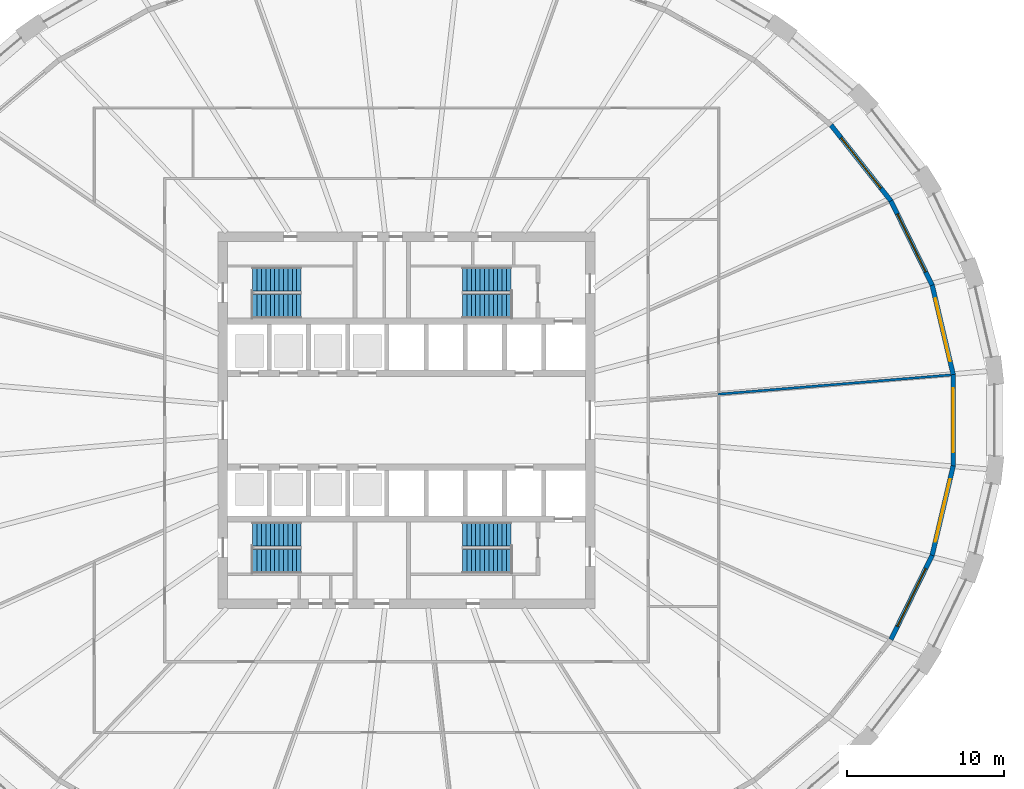
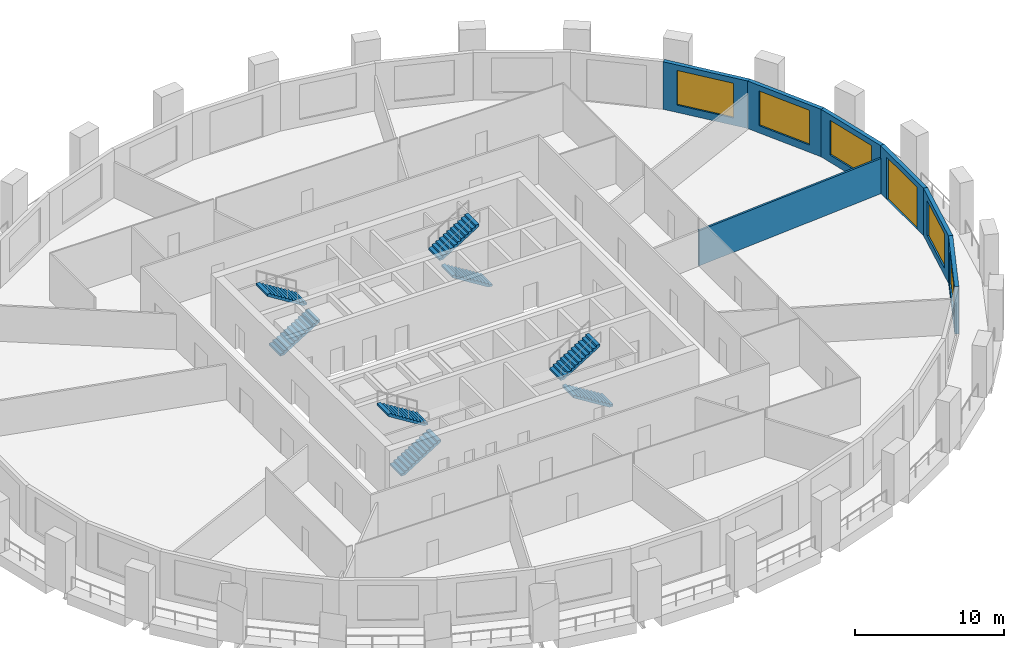
# One storey, part 8 of 11: 8 stair flights, 7 walls, 5 windows, 1 door, 6 openings, 4 elements without a shape of their own.
"""IFC4 building model written with IfcOpenShell, lengths in metres."""

from ifc_helpers import new_model, si_unit, direction, frame, frame_2d, origin, place, context, subcontext, project, spatial, polyline, rectangle, outline, extrude, material, layer, layer_set, type_object, element, fill, aggregate, save


model = new_model("IFC4")

# Units and contexts
model_context = context("Model", 3, precision=1e-05, world=origin(), true_north=direction((0.0, 1.0)))
body_context = subcontext(model_context, "Body", "Model", "MODEL_VIEW")
ifc_project = project(units=[si_unit("LENGTHUNIT", "METRE"), si_unit("AREAUNIT", "SQUARE_METRE"), si_unit("VOLUMEUNIT", "CUBIC_METRE"), si_unit("PLANEANGLEUNIT", "RADIAN"), si_unit("MASSUNIT", "GRAM", prefix="KILO")], contexts=[model_context])

# Site, building, storey
site_placement = place(None, origin())
site = spatial("IfcSite", under=ifc_project, at=site_placement, CompositionType="ELEMENT")
building_placement = place(site_placement, origin())
building = spatial("IfcBuilding", under=site, at=building_placement, Name="Halqa Exchange Tower", CompositionType="ELEMENT")
storey_placement = place(building_placement, frame((0.0, 0.0, 36.10009765625)))
storey = spatial("IfcBuildingStorey", under=building, at=storey_placement, Name="L07", CompositionType="ELEMENT", Elevation=36.10009765625)

# Wall
ifc_material_1 = material(Name="Fire-rated gypsum board")
ifc_layer_1 = layer(ifc_material_1, 0.14990234375)
ifc_layer_set_1 = layer_set([ifc_layer_1], Name="Fire-rated gypsum board")
wall_type_1 = type_object("IfcWallType", Name="Fire partition EI 60 150", PredefinedType="PARTITIONING", material=ifc_layer_set_1)
wall_1_placement = place(storey_placement, frame((19.85009765625, 1.656005859375, 0.0), z_axis=(0.0, 0.0, 1.0), x_axis=(0.996587936268, 0.082537780956, 0.0)))
element("IfcWall", 1, at=wall_1_placement, inside=storey, type_object=wall_type_1, Name="L07-PWL-036", PredefinedType="PARTITIONING", context=body_context, shape_type="SweptSolid", body=[
    extrude(outline(polyline([(14.88427734375, -0.074951171875), (14.88427734375, 0.0498046875), (14.880615234375, 0.074951171875), (13.0205078125, 0.074951171875), (11.160400390625, 0.074951171875), (9.30029296875, 0.074951171875), (7.440185546875, 0.074951171875), (5.580078125, 0.074951171875), (3.72021484375, 0.074951171875), (1.860107421875, 0.074951171875), (0.0, 0.074951171875), (0.0, -0.067626953125), (0.087158203125, -0.074951171875), (1.936767578125, -0.074951171875), (3.786376953125, -0.074951171875), (5.635986328125, -0.074951171875), (7.485595703125, -0.074951171875), (9.33544921875, -0.074951171875), (11.18505859375, -0.074951171875), (13.03466796875, -0.074951171875), (14.88427734375, -0.074951171875)])), origin(), (0.0, 0.0, 1.0), 2.891845703125),
])

# Wall, opening, window
ifc_material_2 = material(Name="Limestone cladding", Category="masonry")
ifc_layer_2 = layer(ifc_material_2, 0.0400390625)
ifc_material_3 = material(Name="Ventilated cavity")
ifc_layer_3 = layer(ifc_material_3, 0.030029296875, ventilated=True)
ifc_material_4 = material(Name="Mineral wool insulation")
ifc_layer_4 = layer(ifc_material_4, 0.10009765625)
ifc_material_5 = material(Name="Concrete C30/37", Category="concrete")
ifc_layer_5 = layer(ifc_material_5, 0.10009765625)
ifc_material_6 = material(Name="Internal plaster")
ifc_layer_6 = layer(ifc_material_6, 0.030029296875)
ifc_layer_set_2 = layer_set([ifc_layer_2, ifc_layer_3, ifc_layer_4, ifc_layer_5, ifc_layer_6], Name="Stone-faced insulated wall 300")
wall_type_2 = type_object("IfcWallType", Name="Stone-faced insulated wall 300", PredefinedType="STANDARD", material=ifc_layer_set_2)
wall_2_placement = place(storey_placement, frame((34.840087890625, 2.90673828125, 0.0), z_axis=(0.0, 0.0, 1.0), x_axis=(-0.228976600496, 0.97343192696, 0.0)))
wall_2 = element("IfcWall", 2, at=wall_2_placement, inside=storey, type_object=wall_type_2, Name="Glass-line wall 1", PredefinedType="STANDARD", context=body_context, shape_type="SweptSolid", body=[
    extrude(outline(polyline([(-0.017333984375, -0.14990234375), (5.87353515625, -0.14990234375), (5.83984375, 0.14990234375), (0.017333984375, 0.14990234375), (-0.017333984375, -0.14990234375)])), origin(), (0.0, 0.0, 1.0), 3.89990234375),
])
opening_1_placement = place(wall_2_placement, frame((0.87841796875, 0.0, 0.60009765625)))
opening_1 = element("IfcOpeningElement", 3, at=opening_1_placement, cuts=wall_2, Name="Opening W-F1-01", PredefinedType="OPENING", context=body_context, shape_type="SweptSolid", body=[
    extrude(rectangle(XDim=4.10009765625, YDim=2.85009765625, at=frame_2d((2.050048828125, 1.425048828125))), frame((0.0, 0.162109375, 0.0), z_axis=(0.0, -1.0, 0.0), x_axis=(1.0, 0.0, 0.0)), (0.0, 0.0, 1.0), 0.323974609375),
])
ifc_material_7 = material(Name="Clear low-emissivity glass in aluminium frame", Category="aluminium")
window_type = type_object("IfcWindowType", Name="Fixed clear glazed window 4100 x 2850", PartitioningType="TRIPLE_PANEL_VERTICAL", PredefinedType="WINDOW", material=ifc_material_7)
window_1_placement = place(opening_1_placement, origin())
window_1 = element("IfcWindow", 4, at=window_1_placement, inside=storey, type_object=window_type, Name="Window 1", OverallHeight=2.85009765625, OverallWidth=4.10009765625, PartitioningType="TRIPLE_PANEL_VERTICAL", PredefinedType="WINDOW", context=body_context, shape_type="SweptSolid", body=[
    extrude(rectangle(XDim=4.10009765625, YDim=2.85009765625, at=frame_2d((2.050048828125, 1.425048828125))), frame((0.0, 0.030029296875, 0.0), z_axis=(0.0, -1.0, 0.0), x_axis=(1.0, 0.0, 0.0)), (0.0, 0.0, 1.0), 0.06005859375),
])
fill(opening_1, window_1)

wall_3_placement = place(storey_placement, frame((33.4990234375, 8.60791015625, 0.0), z_axis=(0.0, 0.0, 1.0), x_axis=(-0.439896354052, 0.898048549741, 0.0)))
wall_3 = element("IfcWall", 5, at=wall_3_placement, inside=storey, type_object=wall_type_2, Name="Glass-line wall 2", PredefinedType="STANDARD", context=body_context, shape_type="SweptSolid", body=[
    extrude(outline(polyline([(-0.016845703125, -0.14990234375), (5.993896484375, -0.14990234375), (5.961669921875, 0.14990234375), (0.016845703125, 0.14990234375), (-0.016845703125, -0.14990234375)])), origin(), (0.0, 0.0, 1.0), 3.89990234375),
])
opening_2_placement = place(wall_3_placement, frame((0.93896484375, 0.0, 0.60009765625)))
opening_2 = element("IfcOpeningElement", 6, at=opening_2_placement, cuts=wall_3, Name="Opening W-F1-02", PredefinedType="OPENING", context=body_context, shape_type="SweptSolid", body=[
    extrude(rectangle(XDim=4.10009765625, YDim=2.85009765625, at=frame_2d((2.050048828125, 1.425048828125))), frame((0.0, 0.162109375, 0.0), z_axis=(0.0, -1.0, 0.0), x_axis=(1.0, 0.0, 0.0)), (0.0, 0.0, 1.0), 0.323974609375),
])
window_2_placement = place(opening_2_placement, origin())
window_2 = element("IfcWindow", 7, at=window_2_placement, inside=storey, type_object=window_type, Name="Window 1", OverallHeight=2.85009765625, OverallWidth=4.10009765625, PartitioningType="TRIPLE_PANEL_VERTICAL", PredefinedType="WINDOW", context=body_context, shape_type="SweptSolid", body=[
    extrude(rectangle(XDim=4.10009765625, YDim=2.85009765625, at=frame_2d((2.050048828125, 1.425048828125))), frame((0.0, 0.030029296875, 0.0), z_axis=(0.0, -1.0, 0.0), x_axis=(1.0, 0.0, 0.0)), (0.0, 0.0, 1.0), 0.06005859375),
])
fill(opening_2, window_2)

wall_4_placement = place(storey_placement, frame((30.869384765625, 13.976318359375, 0.0), z_axis=(0.0, 0.0, 1.0), x_axis=(-0.61992334328, 0.784662378642, 0.0)))
wall_4 = element("IfcWall", 8, at=wall_4_placement, inside=storey, type_object=wall_type_2, Name="Glass-line wall 3", PredefinedType="STANDARD", context=body_context, shape_type="SweptSolid", body=[
    extrude(outline(polyline([(-0.01611328125, -0.14990234375), (6.169921875, -0.14990234375), (6.1396484375, 0.14990234375), (0.01611328125, 0.14990234375), (-0.01611328125, -0.14990234375)])), origin(), (0.0, 0.0, 1.0), 3.89990234375),
])
opening_3_placement = place(wall_4_placement, frame((1.02734375, 0.0, 0.60009765625)))
opening_3 = element("IfcOpeningElement", 9, at=opening_3_placement, cuts=wall_4, Name="Opening W-F1-03", PredefinedType="OPENING", context=body_context, shape_type="SweptSolid", body=[
    extrude(rectangle(XDim=4.10009765625, YDim=2.85009765625, at=frame_2d((2.050048828125, 1.425048828125))), frame((0.0, 0.162109375, 0.0), z_axis=(0.0, -1.0, 0.0), x_axis=(1.0, 0.0, 0.0)), (0.0, 0.0, 1.0), 0.323974609375),
])
window_3_placement = place(opening_3_placement, origin())
window_3 = element("IfcWindow", 10, at=window_3_placement, inside=storey, type_object=window_type, Name="Window 1", OverallHeight=2.85009765625, OverallWidth=4.10009765625, PartitioningType="TRIPLE_PANEL_VERTICAL", PredefinedType="WINDOW", context=body_context, shape_type="SweptSolid", body=[
    extrude(rectangle(XDim=4.10009765625, YDim=2.85009765625, at=frame_2d((2.050048828125, 1.425048828125))), frame((0.0, 0.030029296875, 0.0), z_axis=(0.0, -1.0, 0.0), x_axis=(1.0, 0.0, 0.0)), (0.0, 0.0, 1.0), 0.06005859375),
])
fill(opening_3, window_3)

wall_5_placement = place(storey_placement, frame((30.869384765625, -13.976318359375, 0.0), z_axis=(0.0, 0.0, 1.0), x_axis=(0.439896354052, 0.898048549741, 0.0)))
wall_5 = element("IfcWall", 11, at=wall_5_placement, inside=storey, type_object=wall_type_2, Name="Glass-line wall 30", PredefinedType="STANDARD", context=body_context, shape_type="SweptSolid", body=[
    extrude(outline(polyline([(-0.01611328125, -0.14990234375), (5.99462890625, -0.14990234375), (5.9609375, 0.14990234375), (0.01611328125, 0.14990234375), (-0.01611328125, -0.14990234375)])), origin(), (0.0, 0.0, 1.0), 3.89990234375),
])
opening_4_placement = place(wall_5_placement, frame((0.93896484375, 0.0, 0.60009765625)))
opening_4 = element("IfcOpeningElement", 12, at=opening_4_placement, cuts=wall_5, Name="Opening W-F1-30", PredefinedType="OPENING", context=body_context, shape_type="SweptSolid", body=[
    extrude(rectangle(XDim=4.10009765625, YDim=2.85009765625, at=frame_2d((2.050048828125, 1.425048828125))), frame((0.0, 0.162109375, 0.0), z_axis=(0.0, -1.0, 0.0), x_axis=(1.0, 0.0, 0.0)), (0.0, 0.0, 1.0), 0.323974609375),
])
window_4_placement = place(opening_4_placement, origin())
window_4 = element("IfcWindow", 13, at=window_4_placement, inside=storey, type_object=window_type, Name="Window 1", OverallHeight=2.85009765625, OverallWidth=4.10009765625, PartitioningType="TRIPLE_PANEL_VERTICAL", PredefinedType="WINDOW", context=body_context, shape_type="SweptSolid", body=[
    extrude(rectangle(XDim=4.10009765625, YDim=2.85009765625, at=frame_2d((2.050048828125, 1.425048828125))), frame((0.0, 0.030029296875, 0.0), z_axis=(0.0, -1.0, 0.0), x_axis=(1.0, 0.0, 0.0)), (0.0, 0.0, 1.0), 0.06005859375),
])
fill(opening_4, window_4)

wall_6_placement = place(storey_placement, frame((33.4990234375, -8.60791015625, 0.0), z_axis=(0.0, 0.0, 1.0), x_axis=(0.228976600496, 0.97343192696, 0.0)))
wall_6 = element("IfcWall", 14, at=wall_6_placement, inside=storey, type_object=wall_type_2, Name="Glass-line wall 31", PredefinedType="STANDARD", context=body_context, shape_type="SweptSolid", body=[
    extrude(outline(polyline([(-0.016845703125, -0.14990234375), (5.8740234375, -0.14990234375), (5.83935546875, 0.14990234375), (0.016845703125, 0.14990234375), (-0.016845703125, -0.14990234375)])), origin(), (0.0, 0.0, 1.0), 3.89990234375),
])
opening_5_placement = place(wall_6_placement, frame((0.87841796875, 0.0, 0.60009765625)))
opening_5 = element("IfcOpeningElement", 15, at=opening_5_placement, cuts=wall_6, Name="Opening W-F1-31", PredefinedType="OPENING", context=body_context, shape_type="SweptSolid", body=[
    extrude(rectangle(XDim=4.10009765625, YDim=2.85009765625, at=frame_2d((2.050048828125, 1.425048828125))), frame((0.0, 0.162109375, 0.0), z_axis=(0.0, -1.0, 0.0), x_axis=(1.0, 0.0, 0.0)), (0.0, 0.0, 1.0), 0.323974609375),
])
window_5_placement = place(opening_5_placement, origin())
window_5 = element("IfcWindow", 16, at=window_5_placement, inside=storey, type_object=window_type, Name="Window 1", OverallHeight=2.85009765625, OverallWidth=4.10009765625, PartitioningType="TRIPLE_PANEL_VERTICAL", PredefinedType="WINDOW", context=body_context, shape_type="SweptSolid", body=[
    extrude(rectangle(XDim=4.10009765625, YDim=2.85009765625, at=frame_2d((2.050048828125, 1.425048828125))), frame((0.0, 0.030029296875, 0.0), z_axis=(0.0, -1.0, 0.0), x_axis=(1.0, 0.0, 0.0)), (0.0, 0.0, 1.0), 0.06005859375),
])
fill(opening_5, window_5)

# Wall, opening, door
wall_7_placement = place(storey_placement, frame((34.840087890625, -2.90673828125, 0.0), z_axis=(0.0, 0.0, 1.0), x_axis=(0.0, 1.0, 0.0)))
wall_7 = element("IfcWall", 17, at=wall_7_placement, inside=storey, type_object=wall_type_2, Name="Glass-line wall 32", PredefinedType="STANDARD", context=body_context, shape_type="SweptSolid", body=[
    extrude(outline(polyline([(-0.017333984375, -0.14990234375), (5.830810546875, -0.14990234375), (5.796142578125, 0.14990234375), (0.017333984375, 0.14990234375), (-0.017333984375, -0.14990234375)])), origin(), (0.0, 0.0, 1.0), 3.89990234375),
])
opening_6_placement = place(wall_7_placement, frame((0.856689453125, 0.0, 0.0)))
opening_6 = element("IfcOpeningElement", 18, at=opening_6_placement, cuts=wall_7, Name="Opening LG-F1-08", PredefinedType="OPENING", context=body_context, shape_type="SweptSolid", body=[
    extrude(rectangle(XDim=4.10009765625, YDim=3.449951171875, at=frame_2d((2.050048828125, 1.72509765625))), frame((0.0, 0.162109375, 0.0), z_axis=(0.0, -1.0, 0.0), x_axis=(1.0, 0.0, 0.0)), (0.0, 0.0, 1.0), 0.323974609375),
])
door_type = type_object("IfcDoorType", Name="Glazed sliding loggia door 4100 x 3450", OperationType="DOUBLE_DOOR_SLIDING", PredefinedType="DOOR", material=ifc_material_7)
door_placement = place(opening_6_placement, origin())
door = element("IfcDoor", 19, at=door_placement, inside=storey, type_object=door_type, Name="Loggia door 8", OperationType="DOUBLE_DOOR_SLIDING", OverallHeight=3.449951171875, OverallWidth=4.10009765625, PredefinedType="DOOR", context=body_context, shape_type="SweptSolid", body=[
    extrude(rectangle(XDim=4.10009765625, YDim=3.449951171875, at=frame_2d((2.050048828125, 1.72509765625))), frame((0.0, 0.02490234375, 0.0), z_axis=(0.0, -1.0, 0.0), x_axis=(1.0, 0.0, 0.0)), (0.0, 0.0, 1.0), 0.050048828125),
])
fill(opening_6, door)

# Stair, stair flights
stair_type = type_object("IfcStairType", Name="Exit stair 1500 wide", PredefinedType="HALF_TURN_STAIR", material=ifc_material_5)
stair_1_placement = place(storey_placement, origin())
stair_1 = element("IfcStair", 20, at=stair_1_placement, inside=storey, type_object=stair_type, Name="Exit stair ST1", PredefinedType="HALF_TURN_STAIR")
stair_flight_type = type_object("IfcStairFlightType", Name="Stair flight 1500 wide", PredefinedType="STRAIGHT", material=ifc_material_5)
stair_flight_1_placement = place(storey_placement, frame((-9.800048828125, 7.25, 0.0), z_axis=(0.0, 0.0, 1.0), x_axis=(1.0, 0.0, 0.0)))
stair_flight_1 = element("IfcStairFlight", 21, at=stair_flight_1_placement, type_object=stair_flight_type, Name="ST1 flight 1", NumberOfRisers=12, NumberOfTreads=11, PredefinedType="STRAIGHT", RiserHeight=0.175, TreadLength=0.28, context=body_context, shape_type="SweptSolid", body=[
    extrude(outline(polyline([(0.0, 0.0), (0.0, 0.175048828125), (0.280029296875, 0.175048828125), (0.280029296875, 0.35009765625), (0.56005859375, 0.35009765625), (0.56005859375, 0.52490234375), (0.840087890625, 0.52490234375), (0.840087890625, 0.699951171875), (1.1201171875, 0.699951171875), (1.1201171875, 0.875), (1.39990234375, 0.875), (1.39990234375, 1.050048828125), (1.679931640625, 1.050048828125), (1.679931640625, 1.22509765625), (1.9599609375, 1.22509765625), (1.9599609375, 1.39990234375), (2.239990234375, 1.39990234375), (2.239990234375, 1.574951171875), (2.52001953125, 1.574951171875), (2.52001953125, 1.75), (2.800048828125, 1.75), (2.800048828125, 1.925048828125), (3.080078125, 1.925048828125), (3.080078125, 2.10009765625), (3.080078125, 1.748291015625), (0.28271484375, 0.0), (0.0, 0.0)])), frame((0.0, 0.75, 0.0), z_axis=(0.0, -1.0, 0.0), x_axis=(1.0, 0.0, 0.0)), (0.0, 0.0, 1.0), 1.5),
])
stair_flight_2_placement = place(storey_placement, frame((-6.719970703125, 9.0, 2.099853515625), z_axis=(0.0, 0.0, 1.0), x_axis=(-1.0, 0.0, 0.0)))
stair_flight_2 = element("IfcStairFlight", 22, at=stair_flight_2_placement, type_object=stair_flight_type, Name="ST1 flight 2", NumberOfRisers=12, NumberOfTreads=11, PredefinedType="STRAIGHT", RiserHeight=0.175, TreadLength=0.28, context=body_context, shape_type="SweptSolid", body=[
    extrude(outline(polyline([(0.0, 0.0), (0.0, 0.175048828125), (0.280029296875, 0.175048828125), (0.280029296875, 0.35009765625), (0.56005859375, 0.35009765625), (0.56005859375, 0.52490234375), (0.840087890625, 0.52490234375), (0.840087890625, 0.699951171875), (1.1201171875, 0.699951171875), (1.1201171875, 0.875), (1.39990234375, 0.875), (1.39990234375, 1.050048828125), (1.679931640625, 1.050048828125), (1.679931640625, 1.22509765625), (1.9599609375, 1.22509765625), (1.9599609375, 1.39990234375), (2.239990234375, 1.39990234375), (2.239990234375, 1.574951171875), (2.52001953125, 1.574951171875), (2.52001953125, 1.75), (2.800048828125, 1.75), (2.800048828125, 1.925048828125), (3.080078125, 1.925048828125), (3.080078125, 2.10009765625), (3.080078125, 1.748291015625), (0.28271484375, 0.0), (0.0, 0.0)])), frame((0.0, 0.75, 0.0), z_axis=(0.0, -1.0, 0.0), x_axis=(1.0, 0.0, 0.0)), (0.0, 0.0, 1.0), 1.5),
])
aggregate(stair_1, [stair_flight_1, stair_flight_2])

stair_2_placement = place(storey_placement, origin())
stair_2 = element("IfcStair", 23, at=stair_2_placement, inside=storey, type_object=stair_type, Name="Exit stair ST2", PredefinedType="HALF_TURN_STAIR")
stair_flight_3_placement = place(storey_placement, frame((6.64990234375, 7.25, 0.0), z_axis=(0.0, 0.0, 1.0), x_axis=(-1.0, 0.0, 0.0)))
stair_flight_3 = element("IfcStairFlight", 24, at=stair_flight_3_placement, type_object=stair_flight_type, Name="ST2 flight 1", NumberOfRisers=12, NumberOfTreads=11, PredefinedType="STRAIGHT", RiserHeight=0.175, TreadLength=0.28, context=body_context, shape_type="SweptSolid", body=[
    extrude(outline(polyline([(0.0, 0.0), (0.0, 0.175048828125), (0.280029296875, 0.175048828125), (0.280029296875, 0.35009765625), (0.56005859375, 0.35009765625), (0.56005859375, 0.52490234375), (0.840087890625, 0.52490234375), (0.840087890625, 0.699951171875), (1.1201171875, 0.699951171875), (1.1201171875, 0.875), (1.39990234375, 0.875), (1.39990234375, 1.050048828125), (1.679931640625, 1.050048828125), (1.679931640625, 1.22509765625), (1.9599609375, 1.22509765625), (1.9599609375, 1.39990234375), (2.239990234375, 1.39990234375), (2.239990234375, 1.574951171875), (2.52001953125, 1.574951171875), (2.52001953125, 1.75), (2.800048828125, 1.75), (2.800048828125, 1.925048828125), (3.080078125, 1.925048828125), (3.080078125, 2.10009765625), (3.080078125, 1.748291015625), (0.28271484375, 0.0), (0.0, 0.0)])), frame((0.0, 0.75, 0.0), z_axis=(0.0, -1.0, 0.0), x_axis=(1.0, 0.0, 0.0)), (0.0, 0.0, 1.0), 1.5),
])
stair_flight_4_placement = place(storey_placement, frame((3.570068359375, 9.0, 2.099853515625), z_axis=(0.0, 0.0, 1.0), x_axis=(1.0, 0.0, 0.0)))
stair_flight_4 = element("IfcStairFlight", 25, at=stair_flight_4_placement, type_object=stair_flight_type, Name="ST2 flight 2", NumberOfRisers=12, NumberOfTreads=11, PredefinedType="STRAIGHT", RiserHeight=0.175, TreadLength=0.28, context=body_context, shape_type="SweptSolid", body=[
    extrude(outline(polyline([(0.0, 0.0), (0.0, 0.175048828125), (0.280029296875, 0.175048828125), (0.280029296875, 0.35009765625), (0.56005859375, 0.35009765625), (0.56005859375, 0.52490234375), (0.840087890625, 0.52490234375), (0.840087890625, 0.699951171875), (1.1201171875, 0.699951171875), (1.1201171875, 0.875), (1.39990234375, 0.875), (1.39990234375, 1.050048828125), (1.679931640625, 1.050048828125), (1.679931640625, 1.22509765625), (1.9599609375, 1.22509765625), (1.9599609375, 1.39990234375), (2.239990234375, 1.39990234375), (2.239990234375, 1.574951171875), (2.52001953125, 1.574951171875), (2.52001953125, 1.75), (2.800048828125, 1.75), (2.800048828125, 1.925048828125), (3.080078125, 1.925048828125), (3.080078125, 2.10009765625), (3.080078125, 1.748291015625), (0.28271484375, 0.0), (0.0, 0.0)])), frame((0.0, 0.75, 0.0), z_axis=(0.0, -1.0, 0.0), x_axis=(1.0, 0.0, 0.0)), (0.0, 0.0, 1.0), 1.5),
])
aggregate(stair_2, [stair_flight_3, stair_flight_4])

stair_3_placement = place(storey_placement, origin())
stair_3 = element("IfcStair", 26, at=stair_3_placement, inside=storey, type_object=stair_type, Name="Exit stair ST3", PredefinedType="HALF_TURN_STAIR")
stair_flight_5_placement = place(storey_placement, frame((-9.800048828125, -9.0, 0.0), z_axis=(0.0, 0.0, 1.0), x_axis=(1.0, 0.0, 0.0)))
stair_flight_5 = element("IfcStairFlight", 27, at=stair_flight_5_placement, type_object=stair_flight_type, Name="ST3 flight 1", NumberOfRisers=12, NumberOfTreads=11, PredefinedType="STRAIGHT", RiserHeight=0.175, TreadLength=0.28, context=body_context, shape_type="SweptSolid", body=[
    extrude(outline(polyline([(0.0, 0.0), (0.0, 0.175048828125), (0.280029296875, 0.175048828125), (0.280029296875, 0.35009765625), (0.56005859375, 0.35009765625), (0.56005859375, 0.52490234375), (0.840087890625, 0.52490234375), (0.840087890625, 0.699951171875), (1.1201171875, 0.699951171875), (1.1201171875, 0.875), (1.39990234375, 0.875), (1.39990234375, 1.050048828125), (1.679931640625, 1.050048828125), (1.679931640625, 1.22509765625), (1.9599609375, 1.22509765625), (1.9599609375, 1.39990234375), (2.239990234375, 1.39990234375), (2.239990234375, 1.574951171875), (2.52001953125, 1.574951171875), (2.52001953125, 1.75), (2.800048828125, 1.75), (2.800048828125, 1.925048828125), (3.080078125, 1.925048828125), (3.080078125, 2.10009765625), (3.080078125, 1.748291015625), (0.28271484375, 0.0), (0.0, 0.0)])), frame((0.0, 0.75, 0.0), z_axis=(0.0, -1.0, 0.0), x_axis=(1.0, 0.0, 0.0)), (0.0, 0.0, 1.0), 1.5),
])
stair_flight_6_placement = place(storey_placement, frame((-6.719970703125, -7.25, 2.099853515625), z_axis=(0.0, 0.0, 1.0), x_axis=(-1.0, 0.0, 0.0)))
stair_flight_6 = element("IfcStairFlight", 28, at=stair_flight_6_placement, type_object=stair_flight_type, Name="ST3 flight 2", NumberOfRisers=12, NumberOfTreads=11, PredefinedType="STRAIGHT", RiserHeight=0.175, TreadLength=0.28, context=body_context, shape_type="SweptSolid", body=[
    extrude(outline(polyline([(0.0, 0.0), (0.0, 0.175048828125), (0.280029296875, 0.175048828125), (0.280029296875, 0.35009765625), (0.56005859375, 0.35009765625), (0.56005859375, 0.52490234375), (0.840087890625, 0.52490234375), (0.840087890625, 0.699951171875), (1.1201171875, 0.699951171875), (1.1201171875, 0.875), (1.39990234375, 0.875), (1.39990234375, 1.050048828125), (1.679931640625, 1.050048828125), (1.679931640625, 1.22509765625), (1.9599609375, 1.22509765625), (1.9599609375, 1.39990234375), (2.239990234375, 1.39990234375), (2.239990234375, 1.574951171875), (2.52001953125, 1.574951171875), (2.52001953125, 1.75), (2.800048828125, 1.75), (2.800048828125, 1.925048828125), (3.080078125, 1.925048828125), (3.080078125, 2.10009765625), (3.080078125, 1.748291015625), (0.28271484375, 0.0), (0.0, 0.0)])), frame((0.0, 0.75, 0.0), z_axis=(0.0, -1.0, 0.0), x_axis=(1.0, 0.0, 0.0)), (0.0, 0.0, 1.0), 1.5),
])
aggregate(stair_3, [stair_flight_5, stair_flight_6])

stair_4_placement = place(storey_placement, origin())
stair_4 = element("IfcStair", 29, at=stair_4_placement, inside=storey, type_object=stair_type, Name="Exit stair ST4", PredefinedType="HALF_TURN_STAIR")
stair_flight_7_placement = place(storey_placement, frame((6.64990234375, -9.0, 0.0), z_axis=(0.0, 0.0, 1.0), x_axis=(-1.0, 0.0, 0.0)))
stair_flight_7 = element("IfcStairFlight", 30, at=stair_flight_7_placement, type_object=stair_flight_type, Name="ST4 flight 1", NumberOfRisers=12, NumberOfTreads=11, PredefinedType="STRAIGHT", RiserHeight=0.175, TreadLength=0.28, context=body_context, shape_type="SweptSolid", body=[
    extrude(outline(polyline([(0.0, 0.0), (0.0, 0.175048828125), (0.280029296875, 0.175048828125), (0.280029296875, 0.35009765625), (0.56005859375, 0.35009765625), (0.56005859375, 0.52490234375), (0.840087890625, 0.52490234375), (0.840087890625, 0.699951171875), (1.1201171875, 0.699951171875), (1.1201171875, 0.875), (1.39990234375, 0.875), (1.39990234375, 1.050048828125), (1.679931640625, 1.050048828125), (1.679931640625, 1.22509765625), (1.9599609375, 1.22509765625), (1.9599609375, 1.39990234375), (2.239990234375, 1.39990234375), (2.239990234375, 1.574951171875), (2.52001953125, 1.574951171875), (2.52001953125, 1.75), (2.800048828125, 1.75), (2.800048828125, 1.925048828125), (3.080078125, 1.925048828125), (3.080078125, 2.10009765625), (3.080078125, 1.748291015625), (0.28271484375, 0.0), (0.0, 0.0)])), frame((0.0, 0.75, 0.0), z_axis=(0.0, -1.0, 0.0), x_axis=(1.0, 0.0, 0.0)), (0.0, 0.0, 1.0), 1.5),
])
stair_flight_8_placement = place(storey_placement, frame((3.570068359375, -7.25, 2.099853515625), z_axis=(0.0, 0.0, 1.0), x_axis=(1.0, 0.0, 0.0)))
stair_flight_8 = element("IfcStairFlight", 31, at=stair_flight_8_placement, type_object=stair_flight_type, Name="ST4 flight 2", NumberOfRisers=12, NumberOfTreads=11, PredefinedType="STRAIGHT", RiserHeight=0.175, TreadLength=0.28, context=body_context, shape_type="SweptSolid", body=[
    extrude(outline(polyline([(0.0, 0.0), (0.0, 0.175048828125), (0.280029296875, 0.175048828125), (0.280029296875, 0.35009765625), (0.56005859375, 0.35009765625), (0.56005859375, 0.52490234375), (0.840087890625, 0.52490234375), (0.840087890625, 0.699951171875), (1.1201171875, 0.699951171875), (1.1201171875, 0.875), (1.39990234375, 0.875), (1.39990234375, 1.050048828125), (1.679931640625, 1.050048828125), (1.679931640625, 1.22509765625), (1.9599609375, 1.22509765625), (1.9599609375, 1.39990234375), (2.239990234375, 1.39990234375), (2.239990234375, 1.574951171875), (2.52001953125, 1.574951171875), (2.52001953125, 1.75), (2.800048828125, 1.75), (2.800048828125, 1.925048828125), (3.080078125, 1.925048828125), (3.080078125, 2.10009765625), (3.080078125, 1.748291015625), (0.28271484375, 0.0), (0.0, 0.0)])), frame((0.0, 0.75, 0.0), z_axis=(0.0, -1.0, 0.0), x_axis=(1.0, 0.0, 0.0)), (0.0, 0.0, 1.0), 1.5),
])
aggregate(stair_4, [stair_flight_7, stair_flight_8])

save(model, "model.ifc")
